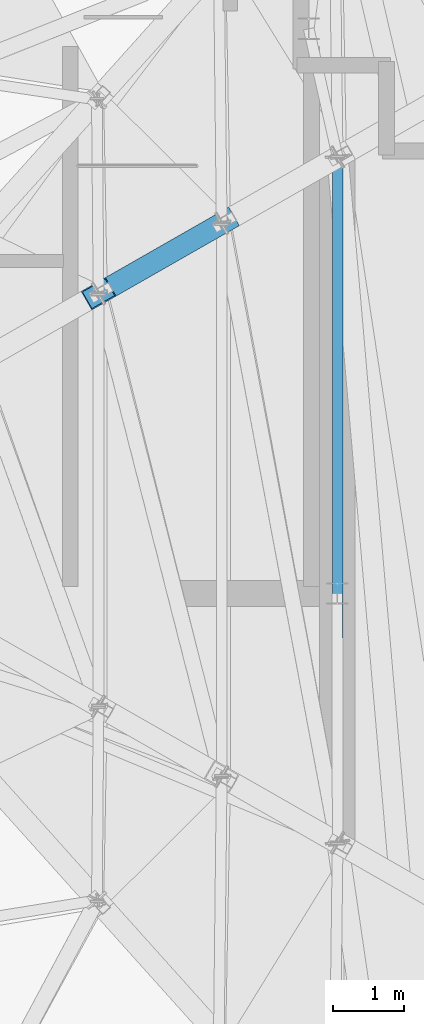
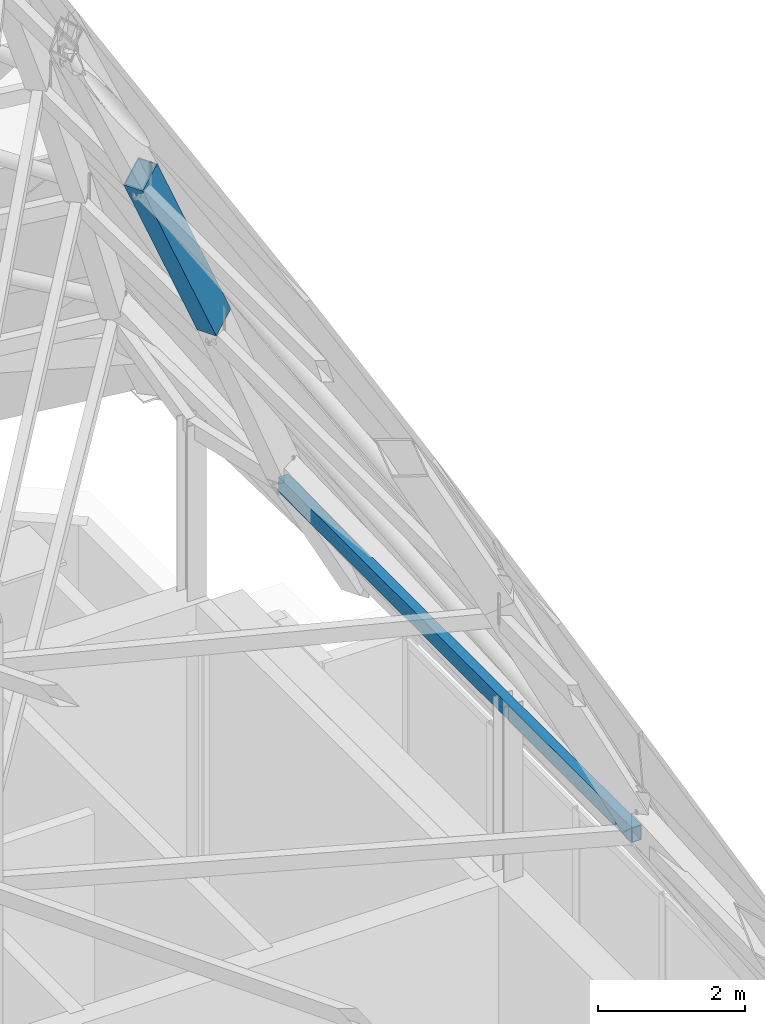
# One storey, part 12 of 30: 2 members.
"""IFC4 building model written with IfcOpenShell, lengths in metres."""

from ifc_helpers import new_model, si_unit, direction, frame, origin, origin_2d, place, context, subcontext, project, spatial, hollow_rectangle, extrude, material, material_profile, profile_set, type_object, element, save


model = new_model("IFC4")

# Units and contexts
model_context = context("Model", 3, precision=1e-05, world=origin(), true_north=direction((0.0, 1.0)))
body_context = subcontext(model_context, "Body", "Model", "MODEL_VIEW")
ifc_project = project(units=[si_unit("LENGTHUNIT", "METRE"), si_unit("AREAUNIT", "SQUARE_METRE"), si_unit("VOLUMEUNIT", "CUBIC_METRE"), si_unit("PLANEANGLEUNIT", "RADIAN"), si_unit("MASSUNIT", "GRAM", prefix="KILO")], contexts=[model_context])

# Site, building, storey
site_placement = place(None, origin())
site = spatial("IfcSite", under=ifc_project, at=site_placement, CompositionType="ELEMENT")
building_placement = place(site_placement, origin())
building = spatial("IfcBuilding", under=site, at=building_placement, Name="Haolan Belvedere Tower", CompositionType="ELEMENT")
storey_placement = place(building_placement, frame((0.0, 0.0, 333.0)))
storey = spatial("IfcBuildingStorey", under=building, at=storey_placement, Name="L83", CompositionType="ELEMENT", Elevation=333.0)

# Members
ifc_material = material(Name="Steel Q355B", Category="steel")
ifc_material_profile_1 = material_profile(ifc_material, hollow_rectangle(XDim=0.300048828125, YDim=0.449951171875, WallThickness=0.01611328125, at=origin_2d()), Name="Steel Q355B")
ifc_profile_set_1 = profile_set([ifc_material_profile_1], Name="Steel Q355B")
member_type_1 = type_object("IfcMemberType", Name="MEM-BOX450x300x16", PredefinedType="RAFTER", material=ifc_profile_set_1)
member_1_placement = place(storey_placement, frame((45.180419921875, 40.474609375, 11.430419921875), z_axis=(-0.418596556906, -0.239206493116, 0.876103404968), x_axis=(0.49615216726, -0.868235582618, 0.0)))
element("IfcMember", 1, at=member_1_placement, inside=storey, type_object=member_type_1, Name="Crown frame sloped hip rafter T3-06", PredefinedType="RAFTER", context=body_context, shape_type="SweptSolid", body=[
    extrude(hollow_rectangle(XDim=0.300048828125, YDim=0.449951171875, WallThickness=0.01611328125, at=origin_2d()), origin(), (0.0, 0.0, 1.0), 4.122314453125),
])
ifc_material_profile_2 = material_profile(ifc_material, hollow_rectangle(XDim=0.14990234375, YDim=0.25, WallThickness=0.010009765625, at=origin_2d()), Name="Steel Q355B")
ifc_profile_set_2 = profile_set([ifc_material_profile_2], Name="Steel Q355B")
member_type_2 = type_object("IfcMemberType", Name="MEM-RHS250x150x10", PredefinedType="PURLIN", material=ifc_profile_set_2)
member_2_placement = place(storey_placement, frame((46.804443359375, 31.797607421875, 7.583984375), z_axis=(0.0, 1.0, 0.0), x_axis=(-1.0, 0.0, 0.0)))
element("IfcMember", 2, at=member_2_placement, inside=storey, type_object=member_type_2, Name="Crown frame horizontal ring purlin T1-05", PredefinedType="PURLIN", context=body_context, shape_type="SweptSolid", body=[
    extrude(hollow_rectangle(XDim=0.14990234375, YDim=0.25, WallThickness=0.010009765625, at=origin_2d()), origin(), (0.0, 0.0, 1.0), 9.60498046875),
])

save(model, "model.ifc")
